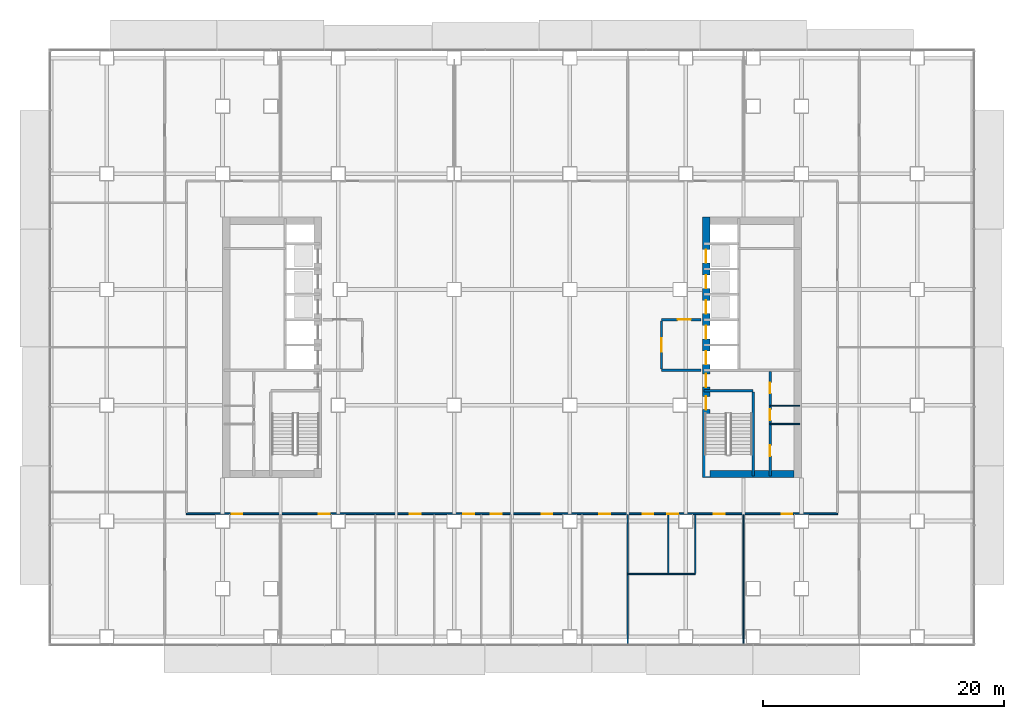
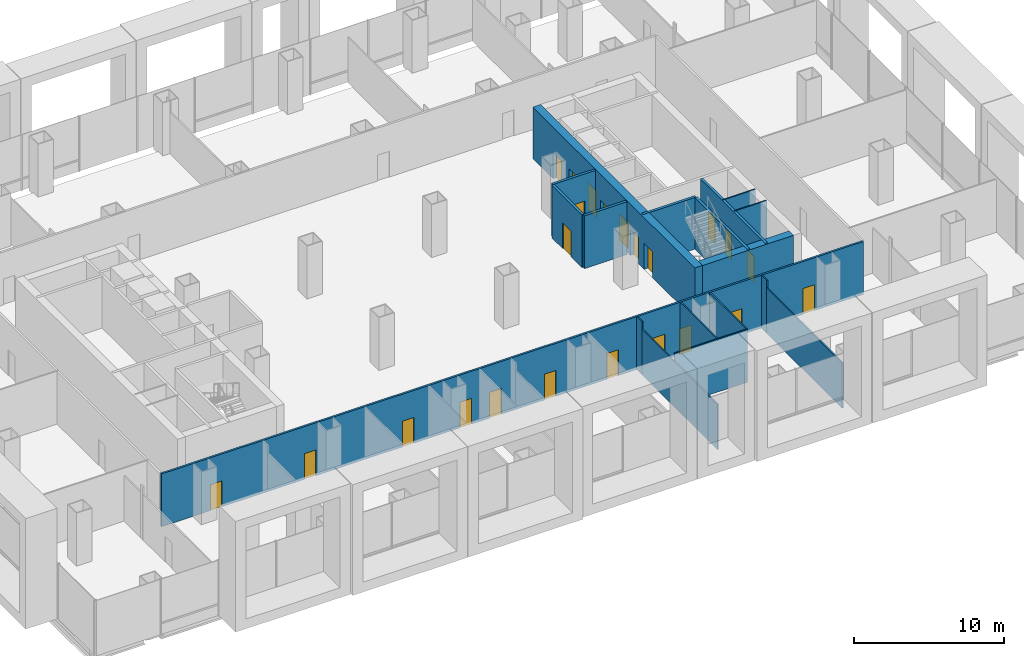
# One storey, part 15 of 23: 23 doors, 18 walls, 23 openings.
"""IFC4 building model written with IfcOpenShell, lengths in metres."""

from ifc_helpers import new_model, si_unit, direction, frame, frame_2d, origin, place, context, subcontext, project, spatial, rectangle, extrude, material, layer, layer_set, type_object, element, fill, save


model = new_model("IFC4")

# Units and contexts
model_context = context("Model", 3, precision=1e-05, world=origin(), true_north=direction((0.0, 1.0)))
body_context = subcontext(model_context, "Body", "Model", "MODEL_VIEW")
ifc_project = project(units=[si_unit("LENGTHUNIT", "METRE"), si_unit("AREAUNIT", "SQUARE_METRE"), si_unit("VOLUMEUNIT", "CUBIC_METRE"), si_unit("PLANEANGLEUNIT", "RADIAN"), si_unit("MASSUNIT", "GRAM", prefix="KILO")], contexts=[model_context])

# Site, building, storey
site_placement = place(None, origin())
site = spatial("IfcSite", under=ifc_project, at=site_placement, CompositionType="ELEMENT")
building_placement = place(site_placement, origin())
building = spatial("IfcBuilding", under=site, at=building_placement, Name="Cobrizo Arcos Hotel Tower", CompositionType="ELEMENT")
storey_placement = place(building_placement, frame((0.0, 0.0, 24.5)))
storey = spatial("IfcBuildingStorey", under=building, at=storey_placement, Name="L04", CompositionType="ELEMENT", Elevation=24.5)

# Wall, openings, doors
ifc_material_1 = material(Name="Gypsum board partition")
ifc_layer_1 = layer(ifc_material_1, 0.14990234375)
ifc_layer_set_1 = layer_set([ifc_layer_1], Name="Corridor wall EI 60 150")
wall_type_1 = type_object("IfcWallType", Name="Corridor wall EI 60 150", PredefinedType="PARTITIONING", material=ifc_layer_set_1)
wall_1_placement = place(storey_placement, frame((-27.0, -13.800048828125, 0.0), z_axis=(0.0, 0.0, 1.0), x_axis=(1.0, 0.0, 0.0)))
wall_1 = element("IfcWall", 1, at=wall_1_placement, inside=storey, type_object=wall_type_1, Name="Partition 002", PredefinedType="PARTITIONING", context=body_context, shape_type="SweptSolid", body=[
    extrude(rectangle(XDim=54.0, YDim=0.14990234375, at=frame_2d((27.0, 0.0))), origin(), (0.0, 0.0, 1.0), 4.300048828125),
])
opening_1_placement = place(wall_1_placement, frame((37.830078125, 0.0, 0.0)))
opening_1 = element("IfcOpeningElement", 2, at=opening_1_placement, cuts=wall_1, Name="Opening ED-01", PredefinedType="OPENING", context=body_context, shape_type="SweptSolid", body=[
    extrude(rectangle(XDim=0.89990234375, YDim=2.10009765625, at=frame_2d((0.449951171875, 1.050048828125))), frame((0.0, 0.0869140625, 0.0), z_axis=(0.0, -1.0, 0.0), x_axis=(1.0, 0.0, 0.0)), (0.0, 0.0, 1.0), 0.173828125),
])
opening_2_placement = place(wall_1_placement, frame((39.8798828125, 0.0, 0.0)))
opening_2 = element("IfcOpeningElement", 3, at=opening_2_placement, cuts=wall_1, Name="Opening ED-02", PredefinedType="OPENING", context=body_context, shape_type="SweptSolid", body=[
    extrude(rectangle(XDim=0.89990234375, YDim=2.10009765625, at=frame_2d((0.449951171875, 1.050048828125))), frame((0.0, 0.0869140625, 0.0), z_axis=(0.0, -1.0, 0.0), x_axis=(1.0, 0.0, 0.0)), (0.0, 0.0, 1.0), 0.173828125),
])
opening_3_placement = place(wall_1_placement, frame((43.75, 0.0, 0.0)))
opening_3 = element("IfcOpeningElement", 4, at=opening_3_placement, cuts=wall_1, Name="Opening RD-08", PredefinedType="OPENING", context=body_context, shape_type="SweptSolid", body=[
    extrude(rectangle(XDim=0.89990234375, YDim=2.10009765625, at=frame_2d((0.449951171875, 1.050048828125))), frame((0.0, 0.0869140625, 0.0), z_axis=(0.0, -1.0, 0.0), x_axis=(1.0, 0.0, 0.0)), (0.0, 0.0, 1.0), 0.173828125),
])
opening_4_placement = place(wall_1_placement, frame((10.971923828125, 0.0, 0.0)))
opening_4 = element("IfcOpeningElement", 5, at=opening_4_placement, cuts=wall_1, Name="Opening RD-09", PredefinedType="OPENING", context=body_context, shape_type="SweptSolid", body=[
    extrude(rectangle(XDim=0.89990234375, YDim=2.10009765625, at=frame_2d((0.449951171875, 1.050048828125))), frame((0.0, 0.0869140625, 0.0), z_axis=(0.0, -1.0, 0.0), x_axis=(1.0, 0.0, 0.0)), (0.0, 0.0, 1.0), 0.173828125),
])
opening_5_placement = place(wall_1_placement, frame((18.52294921875, 0.0, 0.0)))
opening_5 = element("IfcOpeningElement", 6, at=opening_5_placement, cuts=wall_1, Name="Opening RD-10", PredefinedType="OPENING", context=body_context, shape_type="SweptSolid", body=[
    extrude(rectangle(XDim=0.89990234375, YDim=2.10009765625, at=frame_2d((0.449951171875, 1.050048828125))), frame((0.0, 0.0869140625, 0.0), z_axis=(0.0, -1.0, 0.0), x_axis=(1.0, 0.0, 0.0)), (0.0, 0.0, 1.0), 0.173828125),
])
opening_6_placement = place(wall_1_placement, frame((22.9560546875, 0.0, 0.0)))
opening_6 = element("IfcOpeningElement", 7, at=opening_6_placement, cuts=wall_1, Name="Opening RD-11", PredefinedType="OPENING", context=body_context, shape_type="SweptSolid", body=[
    extrude(rectangle(XDim=0.89990234375, YDim=2.10009765625, at=frame_2d((0.449951171875, 1.050048828125))), frame((0.0, 0.0869140625, 0.0), z_axis=(0.0, -1.0, 0.0), x_axis=(1.0, 0.0, 0.0)), (0.0, 0.0, 1.0), 0.173828125),
])
opening_7_placement = place(wall_1_placement, frame((25.241943359375, 0.0, 0.0)))
opening_7 = element("IfcOpeningElement", 8, at=opening_7_placement, cuts=wall_1, Name="Opening RD-12", PredefinedType="OPENING", context=body_context, shape_type="SweptSolid", body=[
    extrude(rectangle(XDim=0.89990234375, YDim=2.10009765625, at=frame_2d((0.449951171875, 1.050048828125))), frame((0.0, 0.0869140625, 0.0), z_axis=(0.0, -1.0, 0.0), x_axis=(1.0, 0.0, 0.0)), (0.0, 0.0, 1.0), 0.173828125),
])
opening_8_placement = place(wall_1_placement, frame((29.449951171875, 0.0, 0.0)))
opening_8 = element("IfcOpeningElement", 9, at=opening_8_placement, cuts=wall_1, Name="Opening RD-13", PredefinedType="OPENING", context=body_context, shape_type="SweptSolid", body=[
    extrude(rectangle(XDim=0.89990234375, YDim=2.10009765625, at=frame_2d((0.449951171875, 1.050048828125))), frame((0.0, 0.0869140625, 0.0), z_axis=(0.0, -1.0, 0.0), x_axis=(1.0, 0.0, 0.0)), (0.0, 0.0, 1.0), 0.173828125),
])
opening_9_placement = place(wall_1_placement, frame((3.75, 0.0, 0.0)))
opening_9 = element("IfcOpeningElement", 10, at=opening_9_placement, cuts=wall_1, Name="Opening RD-14", PredefinedType="OPENING", context=body_context, shape_type="SweptSolid", body=[
    extrude(rectangle(XDim=0.89990234375, YDim=2.10009765625, at=frame_2d((0.449951171875, 1.050048828125))), frame((0.0, 0.0869140625, 0.0), z_axis=(0.0, -1.0, 0.0), x_axis=(1.0, 0.0, 0.0)), (0.0, 0.0, 1.0), 0.173828125),
])
opening_10_placement = place(wall_1_placement, frame((49.35009765625, 0.0, 0.0)))
opening_10 = element("IfcOpeningElement", 11, at=opening_10_placement, cuts=wall_1, Name="Opening RD-18", PredefinedType="OPENING", context=body_context, shape_type="SweptSolid", body=[
    extrude(rectangle(XDim=0.89990234375, YDim=2.10009765625, at=frame_2d((0.449951171875, 1.050048828125))), frame((0.0, 0.0869140625, 0.0), z_axis=(0.0, -1.0, 0.0), x_axis=(1.0, 0.0, 0.0)), (0.0, 0.0, 1.0), 0.173828125),
])
opening_11_placement = place(wall_1_placement, frame((34.25, 0.0, 0.0)))
opening_11 = element("IfcOpeningElement", 12, at=opening_11_placement, cuts=wall_1, Name="Opening RD-24", PredefinedType="OPENING", context=body_context, shape_type="SweptSolid", body=[
    extrude(rectangle(XDim=0.89990234375, YDim=2.10009765625, at=frame_2d((0.449951171875, 1.050048828125))), frame((0.0, 0.0869140625, 0.0), z_axis=(0.0, -1.0, 0.0), x_axis=(1.0, 0.0, 0.0)), (0.0, 0.0, 1.0), 0.173828125),
])
ifc_material_2 = material(Name="Timber door leaf", Category="wood")
door_type_1 = type_object("IfcDoorType", Name="En-suite door 900x2100", OperationType="SINGLE_SWING_LEFT", PredefinedType="DOOR", material=ifc_material_2)
door_1_placement = place(opening_1_placement, origin())
door_1 = element("IfcDoor", 13, at=door_1_placement, inside=storey, type_object=door_type_1, Name="Door ED-01", OperationType="SINGLE_SWING_LEFT", OverallHeight=2.10009765625, OverallWidth=0.89990234375, PredefinedType="DOOR", context=body_context, shape_type="SweptSolid", body=[
    extrude(rectangle(XDim=0.89990234375, YDim=2.10009765625, at=frame_2d((0.449951171875, 1.050048828125))), frame((0.0, 0.02490234375, 0.0), z_axis=(0.0, -1.0, 0.0), x_axis=(1.0, 0.0, 0.0)), (0.0, 0.0, 1.0), 0.050048828125),
])
fill(opening_1, door_1)
door_2_placement = place(opening_2_placement, origin())
door_2 = element("IfcDoor", 14, at=door_2_placement, inside=storey, type_object=door_type_1, Name="Door ED-02", OperationType="SINGLE_SWING_RIGHT", OverallHeight=2.10009765625, OverallWidth=0.89990234375, PredefinedType="DOOR", context=body_context, shape_type="SweptSolid", body=[
    extrude(rectangle(XDim=0.89990234375, YDim=2.10009765625, at=frame_2d((0.449951171875, 1.050048828125))), frame((0.0, 0.02490234375, 0.0), z_axis=(0.0, -1.0, 0.0), x_axis=(1.0, 0.0, 0.0)), (0.0, 0.0, 1.0), 0.050048828125),
])
fill(opening_2, door_2)
door_type_2 = type_object("IfcDoorType", Name="Room door FD30 900x2100", OperationType="SINGLE_SWING_LEFT", PredefinedType="DOOR", material=ifc_material_2)
door_3_placement = place(opening_3_placement, origin())
door_3 = element("IfcDoor", 15, at=door_3_placement, inside=storey, type_object=door_type_2, Name="Door RD-08", OperationType="SINGLE_SWING_RIGHT", OverallHeight=2.10009765625, OverallWidth=0.89990234375, PredefinedType="DOOR", context=body_context, shape_type="SweptSolid", body=[
    extrude(rectangle(XDim=0.89990234375, YDim=2.10009765625, at=frame_2d((0.449951171875, 1.050048828125))), frame((0.0, 0.02490234375, 0.0), z_axis=(0.0, -1.0, 0.0), x_axis=(1.0, 0.0, 0.0)), (0.0, 0.0, 1.0), 0.050048828125),
])
fill(opening_3, door_3)
door_4_placement = place(opening_4_placement, origin())
door_4 = element("IfcDoor", 16, at=door_4_placement, inside=storey, type_object=door_type_2, Name="Door RD-09", OperationType="SINGLE_SWING_RIGHT", OverallHeight=2.10009765625, OverallWidth=0.89990234375, PredefinedType="DOOR", context=body_context, shape_type="SweptSolid", body=[
    extrude(rectangle(XDim=0.89990234375, YDim=2.10009765625, at=frame_2d((0.449951171875, 1.050048828125))), frame((0.0, 0.02490234375, 0.0), z_axis=(0.0, -1.0, 0.0), x_axis=(1.0, 0.0, 0.0)), (0.0, 0.0, 1.0), 0.050048828125),
])
fill(opening_4, door_4)
door_5_placement = place(opening_5_placement, origin())
door_5 = element("IfcDoor", 17, at=door_5_placement, inside=storey, type_object=door_type_2, Name="Door RD-10", OperationType="SINGLE_SWING_RIGHT", OverallHeight=2.10009765625, OverallWidth=0.89990234375, PredefinedType="DOOR", context=body_context, shape_type="SweptSolid", body=[
    extrude(rectangle(XDim=0.89990234375, YDim=2.10009765625, at=frame_2d((0.449951171875, 1.050048828125))), frame((0.0, 0.02490234375, 0.0), z_axis=(0.0, -1.0, 0.0), x_axis=(1.0, 0.0, 0.0)), (0.0, 0.0, 1.0), 0.050048828125),
])
fill(opening_5, door_5)
door_6_placement = place(opening_6_placement, origin())
door_6 = element("IfcDoor", 18, at=door_6_placement, inside=storey, type_object=door_type_2, Name="Door RD-11", OperationType="SINGLE_SWING_RIGHT", OverallHeight=2.10009765625, OverallWidth=0.89990234375, PredefinedType="DOOR", context=body_context, shape_type="SweptSolid", body=[
    extrude(rectangle(XDim=0.89990234375, YDim=2.10009765625, at=frame_2d((0.449951171875, 1.050048828125))), frame((0.0, 0.02490234375, 0.0), z_axis=(0.0, -1.0, 0.0), x_axis=(1.0, 0.0, 0.0)), (0.0, 0.0, 1.0), 0.050048828125),
])
fill(opening_6, door_6)
door_7_placement = place(opening_7_placement, origin())
door_7 = element("IfcDoor", 19, at=door_7_placement, inside=storey, type_object=door_type_2, Name="Door RD-12", OperationType="SINGLE_SWING_RIGHT", OverallHeight=2.10009765625, OverallWidth=0.89990234375, PredefinedType="DOOR", context=body_context, shape_type="SweptSolid", body=[
    extrude(rectangle(XDim=0.89990234375, YDim=2.10009765625, at=frame_2d((0.449951171875, 1.050048828125))), frame((0.0, 0.02490234375, 0.0), z_axis=(0.0, -1.0, 0.0), x_axis=(1.0, 0.0, 0.0)), (0.0, 0.0, 1.0), 0.050048828125),
])
fill(opening_7, door_7)
door_8_placement = place(opening_8_placement, origin())
door_8 = element("IfcDoor", 20, at=door_8_placement, inside=storey, type_object=door_type_2, Name="Door RD-13", OperationType="SINGLE_SWING_RIGHT", OverallHeight=2.10009765625, OverallWidth=0.89990234375, PredefinedType="DOOR", context=body_context, shape_type="SweptSolid", body=[
    extrude(rectangle(XDim=0.89990234375, YDim=2.10009765625, at=frame_2d((0.449951171875, 1.050048828125))), frame((0.0, 0.02490234375, 0.0), z_axis=(0.0, -1.0, 0.0), x_axis=(1.0, 0.0, 0.0)), (0.0, 0.0, 1.0), 0.050048828125),
])
fill(opening_8, door_8)
door_9_placement = place(opening_9_placement, origin())
door_9 = element("IfcDoor", 21, at=door_9_placement, inside=storey, type_object=door_type_2, Name="Door RD-14", OperationType="SINGLE_SWING_LEFT", OverallHeight=2.10009765625, OverallWidth=0.89990234375, PredefinedType="DOOR", context=body_context, shape_type="SweptSolid", body=[
    extrude(rectangle(XDim=0.89990234375, YDim=2.10009765625, at=frame_2d((0.449951171875, 1.050048828125))), frame((0.0, 0.02490234375, 0.0), z_axis=(0.0, -1.0, 0.0), x_axis=(1.0, 0.0, 0.0)), (0.0, 0.0, 1.0), 0.050048828125),
])
fill(opening_9, door_9)
door_10_placement = place(opening_10_placement, origin())
door_10 = element("IfcDoor", 22, at=door_10_placement, inside=storey, type_object=door_type_2, Name="Door RD-18", OperationType="SINGLE_SWING_LEFT", OverallHeight=2.10009765625, OverallWidth=0.89990234375, PredefinedType="DOOR", context=body_context, shape_type="SweptSolid", body=[
    extrude(rectangle(XDim=0.89990234375, YDim=2.10009765625, at=frame_2d((0.449951171875, 1.050048828125))), frame((0.0, 0.02490234375, 0.0), z_axis=(0.0, -1.0, 0.0), x_axis=(1.0, 0.0, 0.0)), (0.0, 0.0, 1.0), 0.050048828125),
])
fill(opening_10, door_10)
door_11_placement = place(opening_11_placement, origin())
door_11 = element("IfcDoor", 23, at=door_11_placement, inside=storey, type_object=door_type_2, Name="Door RD-24", OperationType="SINGLE_SWING_RIGHT", OverallHeight=2.10009765625, OverallWidth=0.89990234375, PredefinedType="DOOR", context=body_context, shape_type="SweptSolid", body=[
    extrude(rectangle(XDim=0.89990234375, YDim=2.10009765625, at=frame_2d((0.449951171875, 1.050048828125))), frame((0.0, 0.02490234375, 0.0), z_axis=(0.0, -1.0, 0.0), x_axis=(1.0, 0.0, 0.0)), (0.0, 0.0, 1.0), 0.050048828125),
])
fill(opening_11, door_11)

# Walls
ifc_layer_2 = layer(ifc_material_1, 0.10009765625)
ifc_layer_set_2 = layer_set([ifc_layer_2], Name="Partition EI 30 100")
wall_type_2 = type_object("IfcWallType", Name="Partition EI 30 100", PredefinedType="PARTITIONING", material=ifc_layer_set_2)
wall_2_placement = place(storey_placement, frame((9.60009765625, -18.800048828125, 0.0), z_axis=(0.0, 0.0, 1.0), x_axis=(1.0, 0.0, 0.0)))
element("IfcWall", 24, at=wall_2_placement, inside=storey, type_object=wall_type_2, Name="Partition 001", PredefinedType="PARTITIONING", context=body_context, shape_type="SweptSolid", body=[
    extrude(rectangle(XDim=5.599853515625, YDim=0.10009765625, at=frame_2d((2.7998046875, 0.0))), origin(), (0.0, 0.0, 1.0), 4.300048828125),
])
for number, where, z_axis, x_axis, name in (
    (25, (21.39990234375, -6.35009765625, 0.0), (0.0, 0.0, 1.0), (1.0, 0.0, 0.0), "Partition 006"),
    (26, (21.39990234375, -4.85009765625, 0.0), (0.0, 0.0, 1.0), (1.0, 0.0, 0.0), "Partition 008"),
):
    element("IfcWall", number, at=place(storey_placement, frame(where, z_axis=z_axis, x_axis=x_axis)), inside=storey, type_object=wall_type_2, Name=name, PredefinedType="PARTITIONING", context=body_context, shape_type="SweptSolid", body=[
        extrude(rectangle(XDim=2.47998046875, YDim=0.10009765625, at=frame_2d((1.239990234375, 0.0))), origin(), (0.0, 0.0, 1.0), 4.199951171875),
    ])
wall_3_placement = place(storey_placement, frame((9.60009765625, -24.6298828125, 0.0), z_axis=(0.0, 0.0, 1.0), x_axis=(0.0, 1.0, 0.0)))
element("IfcWall", 27, at=wall_3_placement, inside=storey, type_object=wall_type_2, Name="Partition 058", PredefinedType="PARTITIONING", context=body_context, shape_type="SweptSolid", body=[
    extrude(rectangle(XDim=10.076171875, YDim=0.10009765625, at=frame_2d((5.0380859375, 0.0))), origin(), (0.0, 0.0, 1.0), 3.68310546875),
])
wall_4_placement = place(storey_placement, frame((9.60009765625, -14.553955078125, 0.0), z_axis=(0.0, 0.0, 1.0), x_axis=(0.0, 1.0, 0.0)))
element("IfcWall", 28, at=wall_4_placement, inside=storey, type_object=wall_type_2, Name="Partition 059", PredefinedType="PARTITIONING", context=body_context, shape_type="SweptSolid", body=[
    extrude(rectangle(XDim=0.678955078125, YDim=0.10009765625, at=frame_2d((0.33935546875, 0.0))), origin(), (0.0, 0.0, 1.0), 4.300048828125),
])
for number, where, z_axis, x_axis, name in (
    (29, (12.949951171875, -18.75, 0.0), (0.0, 0.0, 1.0), (0.0, 1.0, 0.0), "Partition 063"),
    (30, (15.199951171875, -18.75, 0.0), (0.0, 0.0, 1.0), (0.0, 1.0, 0.0), "Partition 064"),
):
    element("IfcWall", number, at=place(storey_placement, frame(where, z_axis=z_axis, x_axis=x_axis)), inside=storey, type_object=wall_type_2, Name=name, PredefinedType="PARTITIONING", context=body_context, shape_type="SweptSolid", body=[
        extrude(rectangle(XDim=4.875, YDim=0.10009765625, at=frame_2d((2.4375, 0.0))), origin(), (0.0, 0.0, 1.0), 4.300048828125),
    ])
wall_5_placement = place(storey_placement, frame((19.199951171875, -24.6298828125, 0.0), z_axis=(0.0, 0.0, 1.0), x_axis=(0.0, 1.0, 0.0)))
element("IfcWall", 31, at=wall_5_placement, inside=storey, type_object=wall_type_2, Name="Partition 066", PredefinedType="PARTITIONING", context=body_context, shape_type="SweptSolid", body=[
    extrude(rectangle(XDim=10.076171875, YDim=0.10009765625, at=frame_2d((5.0380859375, 0.0))), origin(), (0.0, 0.0, 1.0), 3.68310546875),
])
wall_6_placement = place(storey_placement, frame((19.199951171875, -14.553955078125, 0.0), z_axis=(0.0, 0.0, 1.0), x_axis=(0.0, 1.0, 0.0)))
element("IfcWall", 32, at=wall_6_placement, inside=storey, type_object=wall_type_2, Name="Partition 067", PredefinedType="PARTITIONING", context=body_context, shape_type="SweptSolid", body=[
    extrude(rectangle(XDim=0.678955078125, YDim=0.10009765625, at=frame_2d((0.33935546875, 0.0))), origin(), (0.0, 0.0, 1.0), 4.300048828125),
])

# Wall, openings, doors
ifc_material_3 = material(Name="Concrete f'c 60 MPa", Category="concrete")
ifc_layer_3 = layer(ifc_material_3, 0.60009765625)
ifc_layer_set_3 = layer_set([ifc_layer_3], Name="RC core wall 600 f'c 60")
wall_type_3 = type_object("IfcWallType", Name="RC core wall 600 f'c 60", PredefinedType="SHEAR", material=ifc_layer_set_3)
wall_7_placement = place(storey_placement, frame((16.10009765625, -10.800048828125, 0.0), z_axis=(0.0, 0.0, 1.0), x_axis=(0.0, 1.0, 0.0)))
wall_7 = element("IfcWall", 33, at=wall_7_placement, inside=storey, type_object=wall_type_3, Name="Core wall CW1, east core, inner face, L04", PredefinedType="SHEAR", context=body_context, shape_type="SweptSolid", body=[
    extrude(rectangle(XDim=21.60009765625, YDim=0.60009765625, at=frame_2d((10.800048828125, 0.0))), origin(), (0.0, 0.0, 1.0), 4.199951171875),
])
opening_12_placement = place(wall_7_placement, frame((9.39990234375, 0.0, 0.0)))
opening_12 = element("IfcOpeningElement", 34, at=opening_12_placement, cuts=wall_7, Name="Opening LD-06", PredefinedType="OPENING", context=body_context, shape_type="SweptSolid", body=[
    extrude(rectangle(XDim=1.10009765625, YDim=2.10009765625, at=frame_2d((0.550048828125, 1.050048828125))), frame((0.0, 0.31201171875, 0.0), z_axis=(0.0, -1.0, 0.0), x_axis=(1.0, 0.0, 0.0)), (0.0, 0.0, 1.0), 0.6240234375),
])
opening_13_placement = place(wall_7_placement, frame((11.5, 0.0, 0.0)))
opening_13 = element("IfcOpeningElement", 35, at=opening_13_placement, cuts=wall_7, Name="Opening LD-07", PredefinedType="OPENING", context=body_context, shape_type="SweptSolid", body=[
    extrude(rectangle(XDim=1.10009765625, YDim=2.10009765625, at=frame_2d((0.550048828125, 1.050048828125))), frame((0.0, 0.31201171875, 0.0), z_axis=(0.0, -1.0, 0.0), x_axis=(1.0, 0.0, 0.0)), (0.0, 0.0, 1.0), 0.6240234375),
])
opening_14_placement = place(wall_7_placement, frame((13.60009765625, 0.0, 0.0)))
opening_14 = element("IfcOpeningElement", 36, at=opening_14_placement, cuts=wall_7, Name="Opening LD-08", PredefinedType="OPENING", context=body_context, shape_type="SweptSolid", body=[
    extrude(rectangle(XDim=1.10009765625, YDim=2.10009765625, at=frame_2d((0.550048828125, 1.050048828125))), frame((0.0, 0.31201171875, 0.0), z_axis=(0.0, -1.0, 0.0), x_axis=(1.0, 0.0, 0.0)), (0.0, 0.0, 1.0), 0.6240234375),
])
opening_15_placement = place(wall_7_placement, frame((15.699951171875, 0.0, 0.0)))
opening_15 = element("IfcOpeningElement", 37, at=opening_15_placement, cuts=wall_7, Name="Opening LD-09", PredefinedType="OPENING", context=body_context, shape_type="SweptSolid", body=[
    extrude(rectangle(XDim=1.10009765625, YDim=2.10009765625, at=frame_2d((0.550048828125, 1.050048828125))), frame((0.0, 0.31201171875, 0.0), z_axis=(0.0, -1.0, 0.0), x_axis=(1.0, 0.0, 0.0)), (0.0, 0.0, 1.0), 0.6240234375),
])
opening_16_placement = place(wall_7_placement, frame((17.800048828125, 0.0, 0.0)))
opening_16 = element("IfcOpeningElement", 38, at=opening_16_placement, cuts=wall_7, Name="Opening LD-10", PredefinedType="OPENING", context=body_context, shape_type="SweptSolid", body=[
    extrude(rectangle(XDim=1.10009765625, YDim=2.10009765625, at=frame_2d((0.550048828125, 1.050048828125))), frame((0.0, 0.31201171875, 0.0), z_axis=(0.0, -1.0, 0.0), x_axis=(1.0, 0.0, 0.0)), (0.0, 0.0, 1.0), 0.6240234375),
])
opening_17_placement = place(wall_7_placement, frame((5.64208984375, 0.0, 0.0)))
opening_17 = element("IfcOpeningElement", 39, at=opening_17_placement, cuts=wall_7, Name="Opening SD-02", PredefinedType="OPENING", context=body_context, shape_type="SweptSolid", body=[
    extrude(rectangle(XDim=1.10009765625, YDim=2.10009765625, at=frame_2d((0.550048828125, 1.050048828125))), frame((0.0, 0.31201171875, 0.0), z_axis=(0.0, -1.0, 0.0), x_axis=(1.0, 0.0, 0.0)), (0.0, 0.0, 1.0), 0.6240234375),
])
opening_18_placement = place(wall_7_placement, frame((7.5, 0.0, 0.0)))
opening_18 = element("IfcOpeningElement", 40, at=opening_18_placement, cuts=wall_7, Name="Opening FD-04", PredefinedType="OPENING", context=body_context, shape_type="SweptSolid", body=[
    extrude(rectangle(XDim=1.10009765625, YDim=2.10009765625, at=frame_2d((0.550048828125, 1.050048828125))), frame((0.0, 0.31201171875, 0.0), z_axis=(0.0, -1.0, 0.0), x_axis=(1.0, 0.0, 0.0)), (0.0, 0.0, 1.0), 0.6240234375),
])
ifc_material_4 = material(Name="Steel door leaf", Category="steel")
door_type_3 = type_object("IfcDoorType", Name="Fire door FD60 1100x2100", OperationType="SINGLE_SWING_LEFT", PredefinedType="DOOR", material=ifc_material_4)
door_12_placement = place(opening_18_placement, origin())
door_12 = element("IfcDoor", 41, at=door_12_placement, inside=storey, type_object=door_type_3, Name="Door FD-04", OperationType="SINGLE_SWING_RIGHT", OverallHeight=2.10009765625, OverallWidth=1.10009765625, PredefinedType="DOOR", context=body_context, shape_type="SweptSolid", body=[
    extrude(rectangle(XDim=1.10009765625, YDim=2.10009765625, at=frame_2d((0.550048828125, 1.050048828125))), frame((0.0, 0.02490234375, 0.0), z_axis=(0.0, -1.0, 0.0), x_axis=(1.0, 0.0, 0.0)), (0.0, 0.0, 1.0), 0.050048828125),
])
fill(opening_18, door_12)
door_type_4 = type_object("IfcDoorType", Name="Lift landing door 1100x2100", OperationType="SLIDING_TO_LEFT", PredefinedType="DOOR", material=ifc_material_4)
door_13_placement = place(opening_12_placement, origin())
door_13 = element("IfcDoor", 42, at=door_13_placement, inside=storey, type_object=door_type_4, Name="Lift landing door LD-06", OperationType="SLIDING_TO_LEFT", OverallHeight=2.10009765625, OverallWidth=1.10009765625, PredefinedType="DOOR", context=body_context, shape_type="SweptSolid", body=[
    extrude(rectangle(XDim=1.10009765625, YDim=2.10009765625, at=frame_2d((0.550048828125, 1.050048828125))), frame((0.0, 0.02490234375, 0.0), z_axis=(0.0, -1.0, 0.0), x_axis=(1.0, 0.0, 0.0)), (0.0, 0.0, 1.0), 0.050048828125),
])
fill(opening_12, door_13)
door_14_placement = place(opening_13_placement, origin())
door_14 = element("IfcDoor", 43, at=door_14_placement, inside=storey, type_object=door_type_4, Name="Lift landing door LD-07", OperationType="SLIDING_TO_LEFT", OverallHeight=2.10009765625, OverallWidth=1.10009765625, PredefinedType="DOOR", context=body_context, shape_type="SweptSolid", body=[
    extrude(rectangle(XDim=1.10009765625, YDim=2.10009765625, at=frame_2d((0.550048828125, 1.050048828125))), frame((0.0, 0.02490234375, 0.0), z_axis=(0.0, -1.0, 0.0), x_axis=(1.0, 0.0, 0.0)), (0.0, 0.0, 1.0), 0.050048828125),
])
fill(opening_13, door_14)
door_15_placement = place(opening_14_placement, origin())
door_15 = element("IfcDoor", 44, at=door_15_placement, inside=storey, type_object=door_type_4, Name="Lift landing door LD-08", OperationType="SLIDING_TO_LEFT", OverallHeight=2.10009765625, OverallWidth=1.10009765625, PredefinedType="DOOR", context=body_context, shape_type="SweptSolid", body=[
    extrude(rectangle(XDim=1.10009765625, YDim=2.10009765625, at=frame_2d((0.550048828125, 1.050048828125))), frame((0.0, 0.02490234375, 0.0), z_axis=(0.0, -1.0, 0.0), x_axis=(1.0, 0.0, 0.0)), (0.0, 0.0, 1.0), 0.050048828125),
])
fill(opening_14, door_15)
door_16_placement = place(opening_15_placement, origin())
door_16 = element("IfcDoor", 45, at=door_16_placement, inside=storey, type_object=door_type_4, Name="Lift landing door LD-09", OperationType="SLIDING_TO_LEFT", OverallHeight=2.10009765625, OverallWidth=1.10009765625, PredefinedType="DOOR", context=body_context, shape_type="SweptSolid", body=[
    extrude(rectangle(XDim=1.10009765625, YDim=2.10009765625, at=frame_2d((0.550048828125, 1.050048828125))), frame((0.0, 0.02490234375, 0.0), z_axis=(0.0, -1.0, 0.0), x_axis=(1.0, 0.0, 0.0)), (0.0, 0.0, 1.0), 0.050048828125),
])
fill(opening_15, door_16)
door_17_placement = place(opening_16_placement, origin())
door_17 = element("IfcDoor", 46, at=door_17_placement, inside=storey, type_object=door_type_4, Name="Lift landing door LD-10", OperationType="SLIDING_TO_LEFT", OverallHeight=2.10009765625, OverallWidth=1.10009765625, PredefinedType="DOOR", context=body_context, shape_type="SweptSolid", body=[
    extrude(rectangle(XDim=1.10009765625, YDim=2.10009765625, at=frame_2d((0.550048828125, 1.050048828125))), frame((0.0, 0.02490234375, 0.0), z_axis=(0.0, -1.0, 0.0), x_axis=(1.0, 0.0, 0.0)), (0.0, 0.0, 1.0), 0.050048828125),
])
fill(opening_16, door_17)
door_type_5 = type_object("IfcDoorType", Name="Stair door FD60S 1100x2100", OperationType="SINGLE_SWING_LEFT", PredefinedType="DOOR", material=ifc_material_4)
door_18_placement = place(opening_17_placement, origin())
door_18 = element("IfcDoor", 47, at=door_18_placement, inside=storey, type_object=door_type_5, Name="Door SD-02", OperationType="SINGLE_SWING_LEFT", OverallHeight=2.10009765625, OverallWidth=1.10009765625, PredefinedType="DOOR", context=body_context, shape_type="SweptSolid", body=[
    extrude(rectangle(XDim=1.10009765625, YDim=2.10009765625, at=frame_2d((0.550048828125, 1.050048828125))), frame((0.0, 0.02490234375, 0.0), z_axis=(0.0, -1.0, 0.0), x_axis=(1.0, 0.0, 0.0)), (0.0, 0.0, 1.0), 0.050048828125),
])
fill(opening_17, door_18)

# Walls
wall_8_placement = place(storey_placement, frame((16.39990234375, -10.5, 0.0), z_axis=(0.0, 0.0, 1.0), x_axis=(1.0, 0.0, 0.0)))
element("IfcWall", 48, at=wall_8_placement, inside=storey, type_object=wall_type_3, Name="Core wall CW1, east core, south end, L04", PredefinedType="SHEAR", context=body_context, shape_type="SweptSolid", body=[
    extrude(rectangle(XDim=7.0, YDim=0.60009765625, at=frame_2d((3.5, 0.0))), origin(), (0.0, 0.0, 1.0), 4.199951171875),
])
ifc_layer_4 = layer(ifc_material_1, 0.199951171875)
ifc_layer_set_4 = layer_set([ifc_layer_4], Name="Shaft wall EI 120 200")
wall_type_4 = type_object("IfcWallType", Name="Shaft wall EI 120 200", PredefinedType="PARTITIONING", material=ifc_layer_set_4)
wall_9_placement = place(storey_placement, frame((12.39990234375, -1.89990234375, 0.0), z_axis=(0.0, 0.0, 1.0), x_axis=(1.0, 0.0, 0.0)))
element("IfcWall", 49, at=wall_9_placement, inside=storey, type_object=wall_type_4, Name="Partition 013", PredefinedType="PARTITIONING", context=body_context, shape_type="SweptSolid", body=[
    extrude(rectangle(XDim=3.280029296875, YDim=0.199951171875, at=frame_2d((1.64013671875, 0.0))), origin(), (0.0, 0.0, 1.0), 4.300048828125),
])

# Wall, opening, door
wall_10_placement = place(storey_placement, frame((12.39990234375, 2.300048828125, 0.0), z_axis=(0.0, 0.0, 1.0), x_axis=(1.0, 0.0, 0.0)))
wall_10 = element("IfcWall", 50, at=wall_10_placement, inside=storey, type_object=wall_type_4, Name="Partition 021", PredefinedType="PARTITIONING", context=body_context, shape_type="SweptSolid", body=[
    extrude(rectangle(XDim=3.280029296875, YDim=0.199951171875, at=frame_2d((1.64013671875, 0.0))), origin(), (0.0, 0.0, 1.0), 4.300048828125),
])
opening_19_placement = place(wall_10_placement, frame((1.340087890625, 0.0, 0.0)))
opening_19 = element("IfcOpeningElement", 51, at=opening_19_placement, cuts=wall_10, Name="Opening FD-06", PredefinedType="OPENING", context=body_context, shape_type="SweptSolid", body=[
    extrude(rectangle(XDim=1.10009765625, YDim=2.10009765625, at=frame_2d((0.550048828125, 1.050048828125))), frame((0.0, 0.112060546875, 0.0), z_axis=(0.0, -1.0, 0.0), x_axis=(1.0, 0.0, 0.0)), (0.0, 0.0, 1.0), 0.223876953125),
])
door_19_placement = place(opening_19_placement, origin())
door_19 = element("IfcDoor", 52, at=door_19_placement, inside=storey, type_object=door_type_3, Name="Door FD-06", OperationType="SINGLE_SWING_RIGHT", OverallHeight=2.10009765625, OverallWidth=1.10009765625, PredefinedType="DOOR", context=body_context, shape_type="SweptSolid", body=[
    extrude(rectangle(XDim=1.10009765625, YDim=2.10009765625, at=frame_2d((0.550048828125, 1.050048828125))), frame((0.0, 0.02490234375, 0.0), z_axis=(0.0, -1.0, 0.0), x_axis=(1.0, 0.0, 0.0)), (0.0, 0.0, 1.0), 0.050048828125),
])
fill(opening_19, door_19)

wall_11_placement = place(storey_placement, frame((12.39990234375, -1.800048828125, 0.0), z_axis=(0.0, 0.0, 1.0), x_axis=(0.0, 1.0, 0.0)))
wall_11 = element("IfcWall", 53, at=wall_11_placement, inside=storey, type_object=wall_type_4, Name="Partition 062", PredefinedType="PARTITIONING", context=body_context, shape_type="SweptSolid", body=[
    extrude(rectangle(XDim=4.0, YDim=0.199951171875, at=frame_2d((2.0, 0.0))), origin(), (0.0, 0.0, 1.0), 4.300048828125),
])
opening_20_placement = place(wall_11_placement, frame((1.449951171875, 0.0, 0.0)))
opening_20 = element("IfcOpeningElement", 54, at=opening_20_placement, cuts=wall_11, Name="Opening FD-05", PredefinedType="OPENING", context=body_context, shape_type="SweptSolid", body=[
    extrude(rectangle(XDim=1.10009765625, YDim=2.10009765625, at=frame_2d((0.550048828125, 1.050048828125))), frame((0.0, 0.112060546875, 0.0), z_axis=(0.0, -1.0, 0.0), x_axis=(1.0, 0.0, 0.0)), (0.0, 0.0, 1.0), 0.223876953125),
])
door_20_placement = place(opening_20_placement, origin())
door_20 = element("IfcDoor", 55, at=door_20_placement, inside=storey, type_object=door_type_3, Name="Door FD-05", OperationType="SINGLE_SWING_RIGHT", OverallHeight=2.10009765625, OverallWidth=1.10009765625, PredefinedType="DOOR", context=body_context, shape_type="SweptSolid", body=[
    extrude(rectangle(XDim=1.10009765625, YDim=2.10009765625, at=frame_2d((0.550048828125, 1.050048828125))), frame((0.0, 0.02490234375, 0.0), z_axis=(0.0, -1.0, 0.0), x_axis=(1.0, 0.0, 0.0)), (0.0, 0.0, 1.0), 0.050048828125),
])
fill(opening_20, door_20)

# Wall, openings, doors
wall_12_placement = place(storey_placement, frame((21.39990234375, -10.679931640625, 0.0), z_axis=(0.0, 0.0, 1.0), x_axis=(0.0, 1.0, 0.0)))
wall_12 = element("IfcWall", 56, at=wall_12_placement, inside=storey, type_object=wall_type_4, Name="Partition 071", PredefinedType="PARTITIONING", context=body_context, shape_type="SweptSolid", body=[
    extrude(rectangle(XDim=8.679931640625, YDim=0.199951171875, at=frame_2d((4.33984375, 0.0))), origin(), (0.0, 0.0, 1.0), 4.199951171875),
])
opening_21_placement = place(wall_12_placement, frame((1.655029296875, 0.0, 0.0)))
opening_21 = element("IfcOpeningElement", 57, at=opening_21_placement, cuts=wall_12, Name="Opening RD-04", PredefinedType="OPENING", context=body_context, shape_type="SweptSolid", body=[
    extrude(rectangle(XDim=0.89990234375, YDim=2.10009765625, at=frame_2d((0.449951171875, 1.050048828125))), frame((0.0, 0.112060546875, 0.0), z_axis=(0.0, -1.0, 0.0), x_axis=(1.0, 0.0, 0.0)), (0.0, 0.0, 1.0), 0.223876953125),
])
opening_22_placement = place(wall_12_placement, frame((4.636962890625, 0.0, 0.0)))
opening_22 = element("IfcOpeningElement", 58, at=opening_22_placement, cuts=wall_12, Name="Opening RD-05", PredefinedType="OPENING", context=body_context, shape_type="SweptSolid", body=[
    extrude(rectangle(XDim=0.89990234375, YDim=2.10009765625, at=frame_2d((0.449951171875, 1.050048828125))), frame((0.0, 0.112060546875, 0.0), z_axis=(0.0, -1.0, 0.0), x_axis=(1.0, 0.0, 0.0)), (0.0, 0.0, 1.0), 0.223876953125),
])
opening_23_placement = place(wall_12_placement, frame((6.862060546875, 0.0, 0.0)))
opening_23 = element("IfcOpeningElement", 59, at=opening_23_placement, cuts=wall_12, Name="Opening RD-06", PredefinedType="OPENING", context=body_context, shape_type="SweptSolid", body=[
    extrude(rectangle(XDim=0.89990234375, YDim=2.10009765625, at=frame_2d((0.449951171875, 1.050048828125))), frame((0.0, 0.112060546875, 0.0), z_axis=(0.0, -1.0, 0.0), x_axis=(1.0, 0.0, 0.0)), (0.0, 0.0, 1.0), 0.223876953125),
])
door_21_placement = place(opening_21_placement, origin())
door_21 = element("IfcDoor", 60, at=door_21_placement, inside=storey, type_object=door_type_2, Name="Door RD-04", OperationType="SINGLE_SWING_RIGHT", OverallHeight=2.10009765625, OverallWidth=0.89990234375, PredefinedType="DOOR", context=body_context, shape_type="SweptSolid", body=[
    extrude(rectangle(XDim=0.89990234375, YDim=2.10009765625, at=frame_2d((0.449951171875, 1.050048828125))), frame((0.0, 0.02490234375, 0.0), z_axis=(0.0, -1.0, 0.0), x_axis=(1.0, 0.0, 0.0)), (0.0, 0.0, 1.0), 0.050048828125),
])
fill(opening_21, door_21)
door_22_placement = place(opening_22_placement, origin())
door_22 = element("IfcDoor", 61, at=door_22_placement, inside=storey, type_object=door_type_2, Name="Door RD-05", OperationType="SINGLE_SWING_LEFT", OverallHeight=2.10009765625, OverallWidth=0.89990234375, PredefinedType="DOOR", context=body_context, shape_type="SweptSolid", body=[
    extrude(rectangle(XDim=0.89990234375, YDim=2.10009765625, at=frame_2d((0.449951171875, 1.050048828125))), frame((0.0, 0.02490234375, 0.0), z_axis=(0.0, -1.0, 0.0), x_axis=(1.0, 0.0, 0.0)), (0.0, 0.0, 1.0), 0.050048828125),
])
fill(opening_22, door_22)
door_23_placement = place(opening_23_placement, origin())
door_23 = element("IfcDoor", 62, at=door_23_placement, inside=storey, type_object=door_type_2, Name="Door RD-06", OperationType="SINGLE_SWING_LEFT", OverallHeight=2.10009765625, OverallWidth=0.89990234375, PredefinedType="DOOR", context=body_context, shape_type="SweptSolid", body=[
    extrude(rectangle(XDim=0.89990234375, YDim=2.10009765625, at=frame_2d((0.449951171875, 1.050048828125))), frame((0.0, 0.02490234375, 0.0), z_axis=(0.0, -1.0, 0.0), x_axis=(1.0, 0.0, 0.0)), (0.0, 0.0, 1.0), 0.050048828125),
])
fill(opening_23, door_23)

# Walls
ifc_material_5 = material(Name="Concrete f'c 40 MPa", Category="concrete")
ifc_layer_5 = layer(ifc_material_5, 0.199951171875)
ifc_layer_set_5 = layer_set([ifc_layer_5], Name="Stair shaft wall 200")
wall_type_5 = type_object("IfcWallType", Name="Stair shaft wall 200", PredefinedType="SHEAR", material=ifc_layer_set_5)
wall_13_placement = place(storey_placement, frame((15.919921875, -3.60009765625, 0.0), z_axis=(0.0, 0.0, 1.0), x_axis=(1.0, 0.0, 0.0)))
element("IfcWall", 63, at=wall_13_placement, inside=storey, type_object=wall_type_5, Name="Stair shaft wall E", PredefinedType="SHEAR", context=body_context, shape_type="SweptSolid", body=[
    extrude(rectangle(XDim=4.080078125, YDim=0.199951171875, at=frame_2d((2.0400390625, 0.0))), origin(), (0.0, 0.0, 1.0), 4.199951171875),
])
wall_14_placement = place(storey_placement, frame((20.0, -10.679931640625, 0.0), z_axis=(0.0, 0.0, 1.0), x_axis=(0.0, 1.0, 0.0)))
element("IfcWall", 64, at=wall_14_placement, inside=storey, type_object=wall_type_5, Name="Stair shaft wall E", PredefinedType="SHEAR", context=body_context, shape_type="SweptSolid", body=[
    extrude(rectangle(XDim=6.97998046875, YDim=0.199951171875, at=frame_2d((3.489990234375, 0.0))), origin(), (0.0, 0.0, 1.0), 4.199951171875),
])

save(model, "model.ifc")
